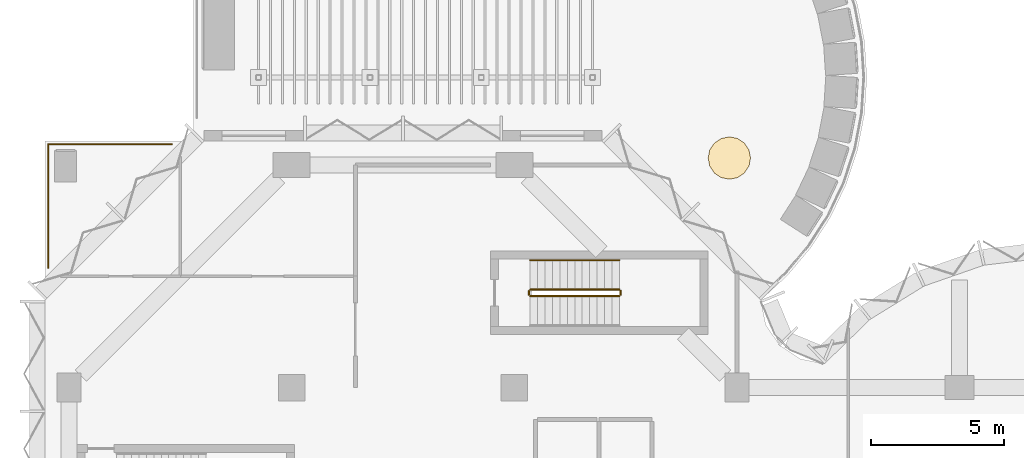
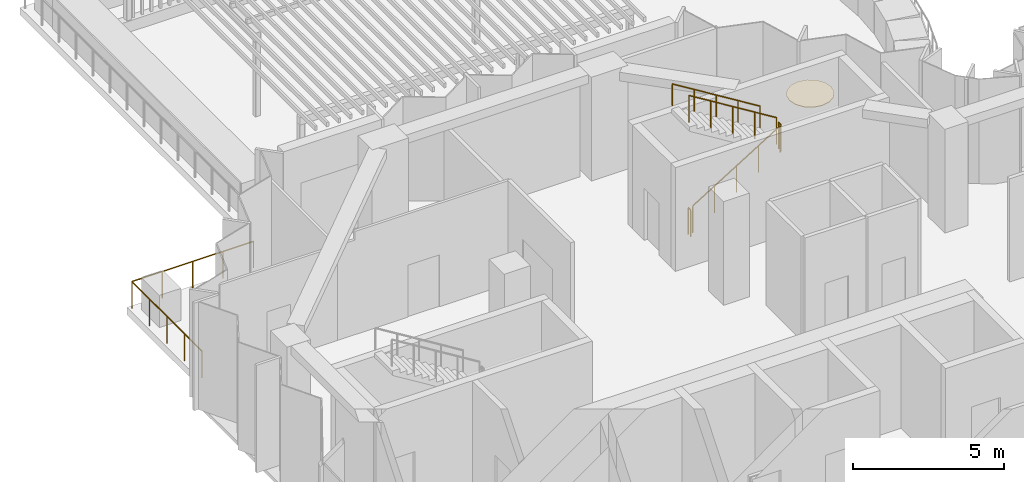
# One storey, part 14 of 15: 7 railings, 1 covering.
"""IFC4 building model written with IfcOpenShell, lengths in metres."""

import ifcopenshell
import ifcopenshell.guid

model = None  # the IFC model being written
_history = None  # IfcOwnerHistory: only IFC2X3 demands one
_inside = {}  # id of a spatial element -> (the spatial element, [elements in it])
_under = {}  # id of a project, library or spatial element -> (it, [spatial elements below it])
_declared = {}  # id of a project -> (the project, [libraries it declares])
_typed = {}  # id of a type object -> (the type object, [elements of that type])
_made_of = {}  # id of a material, layer set ... -> (it, [elements and type objects made of it])


def new_model(schema):
    """Start an empty IFC model of exactly this schema.

    Asked for "IFC4X3", IfcOpenShell would pick the latest addendum, in which some entities
    have other attributes; the version numbers below select the first issue.
    IFC2X3 requires an IfcOwnerHistory on every rooted entity: one is made here for all.
    """
    global model, _history
    if schema == "IFC4X3":
        model = ifcopenshell.file(schema_version=(4, 3, 0, 0))
    else:
        model = ifcopenshell.file(schema=schema)
    _inside.clear()
    _under.clear()
    _declared.clear()
    _typed.clear()
    _made_of.clear()
    _history = None
    if model.schema == "IFC2X3":
        org = make("IfcOrganization", Name="unknown")
        user = make(
            "IfcPersonAndOrganization",
            ThePerson=make("IfcPerson", FamilyName="unknown"),
            TheOrganization=org,
        )
        app = make(
            "IfcApplication",
            ApplicationDeveloper=org,
            Version="unknown",
            ApplicationFullName="unknown",
            ApplicationIdentifier="unknown",
        )
        _history = make(
            "IfcOwnerHistory",
            OwningUser=user,
            OwningApplication=app,
            ChangeAction="ADDED",
            CreationDate=0,
        )
    return model


def make(cls, **values):
    """One entity of the class cls with the attributes given. An attribute that is None is left unset."""
    return model.create_entity(
        cls, **{name: value for name, value in values.items() if value is not None}
    )


def rooted(cls, **values):
    """An entity with a GlobalId (a new one), such as an element, a storey or a relation."""
    return make(cls, GlobalId=ifcopenshell.guid.new(), OwnerHistory=_history, **values)


def si_unit(unit_type, name, prefix=None):
    """IfcSIUnit, for example si_unit("LENGTHUNIT", "METRE", prefix="MILLI")."""
    return make("IfcSIUnit", UnitType=unit_type, Prefix=prefix, Name=name)


def assignment(units):
    """IfcUnitAssignment: the units of a project."""
    return None if units is None else make("IfcUnitAssignment", Units=units)


def point(xyz):
    """IfcCartesianPoint."""
    return None if xyz is None else make("IfcCartesianPoint", Coordinates=xyz)


def direction(xyz):
    """IfcDirection."""
    return None if xyz is None else make("IfcDirection", DirectionRatios=xyz)


def frame(location, z_axis=None, x_axis=None):
    """IfcAxis2Placement3D, a coordinate frame: its origin and axes. An axis left out is left unset."""
    return make(
        "IfcAxis2Placement3D",
        Location=point(location),
        Axis=direction(z_axis),
        RefDirection=direction(x_axis),
    )


def frame_2d(location, x_axis=None):
    """IfcAxis2Placement2D, a coordinate frame in the plane: its origin and x axis."""
    return make(
        "IfcAxis2Placement2D", Location=point(location), RefDirection=direction(x_axis)
    )


def origin():
    """The frame at (0, 0, 0) with its axes left unset."""
    return frame((0.0, 0.0, 0.0))


def origin_2d():
    """The frame at (0, 0) in the plane with its x axis left unset."""
    return frame_2d((0.0, 0.0))


def place(relative_to, where):
    """IfcLocalPlacement: puts the frame where relative to a parent placement (None: the world)."""
    return make(
        "IfcLocalPlacement", PlacementRelTo=relative_to, RelativePlacement=where
    )


def context(
    kind, dimensions, precision=None, world=None, true_north=None, identifier=None
):
    """IfcGeometricRepresentationContext, for example the 3D "Model" context."""
    return make(
        "IfcGeometricRepresentationContext",
        ContextIdentifier=identifier,
        ContextType=kind,
        CoordinateSpaceDimension=dimensions,
        Precision=precision,
        WorldCoordinateSystem=world,
        TrueNorth=true_north,
    )


def subcontext(parent, identifier, kind, view, scale=None):
    """IfcGeometricRepresentationSubContext, for example "Body" below "Model"."""
    return make(
        "IfcGeometricRepresentationSubContext",
        ContextIdentifier=identifier,
        ContextType=kind,
        ParentContext=parent,
        TargetScale=scale,
        TargetView=view,
    )


def project(units=None, contexts=None):
    """IfcProject with its units and contexts."""
    return rooted(
        "IfcProject",
        Name="project",
        RepresentationContexts=contexts,
        UnitsInContext=assignment(units),
    )


def spatial(cls, under=None, at=None, **own):
    """A site, building, storey or space (cls), placed at a placement, below another one or the project."""
    s = rooted(cls, ObjectPlacement=at, **own)
    if under is not None:
        _under.setdefault(under.id(), (under, []))[1].append(s)
    return s


def polyline(points):
    """IfcPolyline through the points."""
    return make("IfcPolyline", Points=[point(p) for p in points])


def profile(cls, at=None, kind="AREA", **sizes):
    """A parametric profile (cls). Its sizes go by their IFC names, for example OverallWidth=200.0."""
    return make(cls, ProfileType=kind, Position=at, **sizes)


def circle(**sizes):
    """IfcCircleProfileDef."""
    return profile("IfcCircleProfileDef", **sizes)


def outline(outer, holes=None, kind="AREA"):
    """IfcArbitraryClosedProfileDef: a profile drawn as a closed curve; with holes, ...WithVoids."""
    if holes is None:
        return make("IfcArbitraryClosedProfileDef", ProfileType=kind, OuterCurve=outer)
    return make(
        "IfcArbitraryProfileDefWithVoids",
        ProfileType=kind,
        OuterCurve=outer,
        InnerCurves=holes,
    )


def extrude(swept, where, along, depth):
    """IfcExtrudedAreaSolid: the profile swept, set in the frame where, extruded along a direction by depth."""
    return make(
        "IfcExtrudedAreaSolid",
        SweptArea=swept,
        Position=where,
        ExtrudedDirection=direction(along),
        Depth=depth,
    )


def shape(context_of_items, identifier, shape_type, items):
    """IfcShapeRepresentation: the items that make up one representation, for example the "Body"."""
    return make(
        "IfcShapeRepresentation",
        ContextOfItems=context_of_items,
        RepresentationIdentifier=identifier,
        RepresentationType=shape_type,
        Items=items,
    )


def material(Name=None, Category=None):
    """IfcMaterial."""
    return make("IfcMaterial", Name=Name, Category=Category)


def layer(
    of_material, thickness, ventilated=None, Name=None, Category=None, Priority=None
):
    """IfcMaterialLayer: one layer of a wall or slab, of a material (None: an air gap)."""
    return make(
        "IfcMaterialLayer",
        Material=of_material,
        LayerThickness=thickness,
        IsVentilated=ventilated,
        Name=Name,
        Category=Category,
        Priority=Priority,
    )


def layer_set(layers, Name=None):
    """IfcMaterialLayerSet."""
    return make("IfcMaterialLayerSet", MaterialLayers=layers, LayerSetName=Name)


def made_of(thing, what):
    """Note that an element or type object is made of a material, layer set ...; save() writes the relation."""
    if what is not None:
        _made_of.setdefault(what.id(), (what, []))[1].append(thing)
    return thing


def type_object(cls, material=None, **own):
    """A type object (cls), such as IfcWallType, which elements share."""
    return made_of(rooted(cls, **own), material)


def element(
    cls,
    number,
    at=None,
    inside=None,
    cuts=None,
    type_object=None,
    material=None,
    context=None,
    identifier="Body",
    shape_type=None,
    held_by="IfcProductDefinitionShape",
    body=None,
    shapes=None,
    **own,
):
    """One element of the class cls, such as IfcWall. Its Tag is "e" and its number.

    at: its placement. inside: the storey or other place that contains it. cuts: it is an
    opening in that element (IfcRelVoidsElement). A single representation is given by context,
    identifier, shape_type and body (its items); several are given by shapes. held_by: the class
    of the entity that holds the representations. save() writes the other relations.
    """
    e = rooted(cls, Tag="e%d" % number, ObjectPlacement=at, **own)
    if body is not None:
        shapes = [shape(context, identifier, shape_type, body)]
    if shapes is not None:
        e.Representation = make(held_by, Representations=shapes)
    if inside is not None:
        _inside.setdefault(inside.id(), (inside, []))[1].append(e)
    if cuts is not None:
        rooted(
            "IfcRelVoidsElement", RelatingBuildingElement=cuts, RelatedOpeningElement=e
        )
    if type_object is not None:
        _typed.setdefault(type_object.id(), (type_object, []))[1].append(e)
    return made_of(e, material)


def aggregate(whole, parts):
    """IfcRelAggregates: a whole, such as a stair, and the parts it consists of."""
    return rooted("IfcRelAggregates", RelatingObject=whole, RelatedObjects=parts)


def save(model, path):
    """Write the relations noted so far, then the file.

    IfcRelAggregates (storeys below a building ...), IfcRelContainedInSpatialStructure (elements
    in a storey), IfcRelDefinesByType, IfcRelAssociatesMaterial and IfcRelDeclares: one each for
    every whole, place, type object, material and project.
    """
    for whole, parts in _under.values():
        aggregate(whole, parts)
    for where, things in _inside.values():
        rooted(
            "IfcRelContainedInSpatialStructure",
            RelatedElements=things,
            RelatingStructure=where,
        )
    for kind, things in _typed.values():
        rooted("IfcRelDefinesByType", RelatedObjects=things, RelatingType=kind)
    for what, things in _made_of.values():
        rooted("IfcRelAssociatesMaterial", RelatedObjects=things, RelatingMaterial=what)
    for by, libraries in _declared.values():
        rooted("IfcRelDeclares", RelatingContext=by, RelatedDefinitions=libraries)
    model.write(path)


model = new_model("IFC4")

# Units and contexts
model_context = context("Model", 3, precision=1e-05, world=origin(), true_north=direction((0.0, 1.0)))
body_context = subcontext(model_context, "Body", "Model", "MODEL_VIEW")
ifc_project = project(units=[si_unit("LENGTHUNIT", "METRE"), si_unit("AREAUNIT", "SQUARE_METRE"), si_unit("VOLUMEUNIT", "CUBIC_METRE"), si_unit("PLANEANGLEUNIT", "RADIAN"), si_unit("MASSUNIT", "GRAM", prefix="KILO")], contexts=[model_context])

# Site, building, storey
site_placement = place(None, origin())
site = spatial("IfcSite", under=ifc_project, at=site_placement, CompositionType="ELEMENT")
building_placement = place(site_placement, origin())
building = spatial("IfcBuilding", under=site, at=building_placement, Name="Brevane Broadcast Tower", CompositionType="ELEMENT")
storey_placement = place(building_placement, frame((0.0, 0.0, 206.39990234375)))
storey = spatial("IfcBuildingStorey", under=building, at=storey_placement, Name="L52", CompositionType="ELEMENT", Elevation=206.39990234375)

# Railings
ifc_material_1 = material(Name="Steel S355", Category="steel")
railing_type_1 = type_object("IfcRailingType", Name="Exit stair guard", PredefinedType="GUARDRAIL", material=ifc_material_1)
railing_1_placement = place(storey_placement, frame((17.39990234375, 28.64990234375, 0.173095703125)))
element("IfcRailing", 1, at=railing_1_placement, inside=storey, type_object=railing_type_1, Name="L52 ST-3 stair guard 1", PredefinedType="GUARDRAIL", context=body_context, shape_type="SweptSolid", body=[
    extrude(circle(Radius=0.02392578125, at=origin_2d()), frame((0.0, 0.0, 1.076171875), z_axis=(0.850623216509, 0.0, 0.525775754039), x_axis=(0.0, 1.0, 0.0)), (0.0, 0.0, 1.0), 3.9501953125),
    extrude(circle(Radius=0.02099609375, at=origin_2d()), origin(), (0.0, 0.0, 1.0), 1.052001953125),
    extrude(circle(Radius=0.02099609375, at=origin_2d()), frame((0.840087890625, 0.0, 0.519287109375)), (0.0, 0.0, 1.0), 1.052001953125),
    extrude(circle(Radius=0.02099609375, at=origin_2d()), frame((1.68017578125, 0.0, 1.03857421875)), (0.0, 0.0, 1.0), 1.052001953125),
    extrude(circle(Radius=0.02099609375, at=origin_2d()), frame((2.52001953125, 0.0, 1.5576171875)), (0.0, 0.0, 1.0), 1.052001953125),
    extrude(circle(Radius=0.02099609375, at=origin_2d()), frame((3.360107421875, 0.0, 2.076904296875)), (0.0, 0.0, 1.0), 1.052001953125),
])
railing_2_placement = place(storey_placement, frame((20.81005859375, 28.699951171875, 2.25)))
element("IfcRailing", 2, at=railing_2_placement, inside=storey, type_object=railing_type_1, Name="L52 ST-3 stair guard 2", PredefinedType="GUARDRAIL", context=body_context, shape_type="SweptSolid", body=[
    extrude(circle(Radius=0.02392578125, at=origin_2d()), frame((0.0, 0.0, 1.076171875), z_axis=(0.0, 1.0, 0.0), x_axis=(-1.0, 0.0, 0.0)), (0.0, 0.0, 1.0), 0.150146484375),
    extrude(circle(Radius=0.02099609375, at=origin_2d()), origin(), (0.0, 0.0, 1.0), 1.052001953125),
    extrude(circle(Radius=0.02099609375, at=origin_2d()), frame((0.0, 0.150146484375, 0.0)), (0.0, 0.0, 1.0), 1.052001953125),
])
railing_3_placement = place(storey_placement, frame((20.760009765625, 28.89990234375, 2.423095703125)))
element("IfcRailing", 3, at=railing_3_placement, inside=storey, type_object=railing_type_1, Name="L52 ST-3 stair guard 3", PredefinedType="GUARDRAIL", context=body_context, shape_type="SweptSolid", body=[
    extrude(circle(Radius=0.02392578125, at=origin_2d()), frame((0.0, 0.0, 1.076171875), z_axis=(-0.850623216509, 0.0, 0.525775754039), x_axis=(0.0, -1.0, 0.0)), (0.0, 0.0, 1.0), 3.9501953125),
    extrude(circle(Radius=0.02099609375, at=origin_2d()), origin(), (0.0, 0.0, 1.0), 1.052001953125),
    extrude(circle(Radius=0.02099609375, at=origin_2d()), frame((-0.840087890625, 0.0, 0.519287109375)), (0.0, 0.0, 1.0), 1.052001953125),
    extrude(circle(Radius=0.02099609375, at=origin_2d()), frame((-1.68017578125, 0.0, 1.03857421875)), (0.0, 0.0, 1.0), 1.052001953125),
    extrude(circle(Radius=0.02099609375, at=origin_2d()), frame((-2.52001953125, 0.0, 1.5576171875)), (0.0, 0.0, 1.0), 1.052001953125),
    extrude(circle(Radius=0.02099609375, at=origin_2d()), frame((-3.360107421875, 0.0, 2.076904296875)), (0.0, 0.0, 1.0), 1.052001953125),
])
railing_4_placement = place(storey_placement, frame((17.35009765625, 28.699951171875, 0.0)))
element("IfcRailing", 4, at=railing_4_placement, inside=storey, type_object=railing_type_1, Name="L52 ST-3 stair guard 4", PredefinedType="GUARDRAIL", context=body_context, shape_type="SweptSolid", body=[
    extrude(circle(Radius=0.02392578125, at=origin_2d()), frame((0.0, 0.0, 1.076171875), z_axis=(0.0, 1.0, 0.0), x_axis=(-1.0, 0.0, 0.0)), (0.0, 0.0, 1.0), 0.150146484375),
    extrude(circle(Radius=0.02099609375, at=origin_2d()), origin(), (0.0, 0.0, 1.0), 1.052001953125),
    extrude(circle(Radius=0.02099609375, at=origin_2d()), frame((0.0, 0.150146484375, 0.0)), (0.0, 0.0, 1.0), 1.052001953125),
])
railing_type_2 = type_object("IfcRailingType", Name="Exit stair handrail", PredefinedType="HANDRAIL", material=ifc_material_1)
railing_5_placement = place(storey_placement, frame((20.760009765625, 30.0, 2.423095703125)))
element("IfcRailing", 5, at=railing_5_placement, inside=storey, type_object=railing_type_2, Name="L52 ST-3 stair handrail 2", PredefinedType="HANDRAIL", context=body_context, shape_type="SweptSolid", body=[
    extrude(circle(Radius=0.02392578125, at=origin_2d()), frame((0.0, 0.0, 0.8759765625), z_axis=(-0.850623216509, 0.0, 0.525775754039), x_axis=(0.0, -1.0, 0.0)), (0.0, 0.0, 1.0), 3.9501953125),
    extrude(circle(Radius=0.02099609375, at=origin_2d()), origin(), (0.0, 0.0, 1.0), 0.851806640625),
    extrude(circle(Radius=0.02099609375, at=origin_2d()), frame((-0.840087890625, 0.0, 0.519287109375)), (0.0, 0.0, 1.0), 0.851806640625),
    extrude(circle(Radius=0.02099609375, at=origin_2d()), frame((-1.68017578125, 0.0, 1.03857421875)), (0.0, 0.0, 1.0), 0.851806640625),
    extrude(circle(Radius=0.02099609375, at=origin_2d()), frame((-2.52001953125, 0.0, 1.5576171875)), (0.0, 0.0, 1.0), 0.851806640625),
    extrude(circle(Radius=0.02099609375, at=origin_2d()), frame((-3.360107421875, 0.0, 2.076904296875)), (0.0, 0.0, 1.0), 0.851806640625),
])
ifc_material_2 = material(Name="Stainless steel 1.4404", Category="steel")
railing_type_3 = type_object("IfcRailingType", Name="Terrace guard 1100", PredefinedType="GUARDRAIL", material=ifc_material_2)
railing_6_placement = place(storey_placement, frame((-0.780029296875, 34.3798828125, 0.0)))
element("IfcRailing", 6, at=railing_6_placement, inside=storey, type_object=railing_type_3, Name="Terrace guard L52-1", PredefinedType="GUARDRAIL", context=body_context, shape_type="SweptSolid", body=[
    extrude(circle(Radius=0.02392578125, at=origin_2d()), frame((0.0, 0.0, 1.076171875), z_axis=(1.0, 0.0, 0.0), x_axis=(0.0, 1.0, 0.0)), (0.0, 0.0, 1.0), 4.65869140625),
    extrude(circle(Radius=0.02099609375, at=origin_2d()), origin(), (0.0, 0.0, 1.0), 1.052001953125),
    extrude(circle(Radius=0.02099609375, at=origin_2d()), frame((1.16455078125, 0.0, 0.0)), (0.0, 0.0, 1.0), 1.052001953125),
    extrude(circle(Radius=0.02099609375, at=origin_2d()), frame((2.329345703125, 0.0, 0.0)), (0.0, 0.0, 1.0), 1.052001953125),
    extrude(circle(Radius=0.02099609375, at=origin_2d()), frame((3.494140625, 0.0, 0.0)), (0.0, 0.0, 1.0), 1.052001953125),
    extrude(circle(Radius=0.02099609375, at=origin_2d()), frame((4.65869140625, 0.0, 0.0)), (0.0, 0.0, 1.0), 1.052001953125),
])
railing_7_placement = place(storey_placement, frame((-0.780029296875, 29.721435546875, 0.0)))
element("IfcRailing", 7, at=railing_7_placement, inside=storey, type_object=railing_type_3, Name="Terrace guard L52-2", PredefinedType="GUARDRAIL", context=body_context, shape_type="SweptSolid", body=[
    extrude(circle(Radius=0.02392578125, at=origin_2d()), frame((0.0, 0.0, 1.076171875), z_axis=(0.0, 1.0, 0.0), x_axis=(-1.0, 0.0, 0.0)), (0.0, 0.0, 1.0), 4.658447265625),
    extrude(circle(Radius=0.02099609375, at=origin_2d()), origin(), (0.0, 0.0, 1.0), 1.052001953125),
    extrude(circle(Radius=0.02099609375, at=origin_2d()), frame((0.0, 1.16455078125, 0.0)), (0.0, 0.0, 1.0), 1.052001953125),
    extrude(circle(Radius=0.02099609375, at=origin_2d()), frame((0.0, 2.3291015625, 0.0)), (0.0, 0.0, 1.0), 1.052001953125),
    extrude(circle(Radius=0.02099609375, at=origin_2d()), frame((0.0, 3.493896484375, 0.0)), (0.0, 0.0, 1.0), 1.052001953125),
    extrude(circle(Radius=0.02099609375, at=origin_2d()), frame((0.0, 4.658447265625, 0.0)), (0.0, 0.0, 1.0), 1.052001953125),
])

# Covering
ifc_layer = layer(ifc_material_2, 0.02001953125)
ifc_layer_set = layer_set([ifc_layer], Name="Tree pit grating 20")
covering_type = type_object("IfcCoveringType", Name="Tree pit grating 20", PredefinedType="FLOORING", material=ifc_layer_set)
covering_placement = place(storey_placement, origin())
element("IfcCovering", 8, at=covering_placement, inside=storey, type_object=covering_type, Name="Tree pit L52-1", PredefinedType="FLOORING", context=body_context, shape_type="SweptSolid", body=[
    extrude(outline(polyline([(25.712646484375, 33.859130859375), (25.65185546875, 34.165283203125), (25.478515625, 34.4248046875), (25.218994140625, 34.598388671875), (24.91259765625, 34.6591796875), (24.606689453125, 34.598388671875), (24.346923828125, 34.4248046875), (24.173583984375, 34.165283203125), (24.11279296875, 33.859130859375), (24.173583984375, 33.552978515625), (24.346923828125, 33.29345703125), (24.606689453125, 33.1201171875), (24.91259765625, 33.05908203125), (25.218994140625, 33.1201171875), (25.478515625, 33.29345703125), (25.65185546875, 33.552978515625), (25.712646484375, 33.859130859375)])), origin(), (0.0, 0.0, 1.0), 0.02001953125),
])

save(model, "model.ifc")
